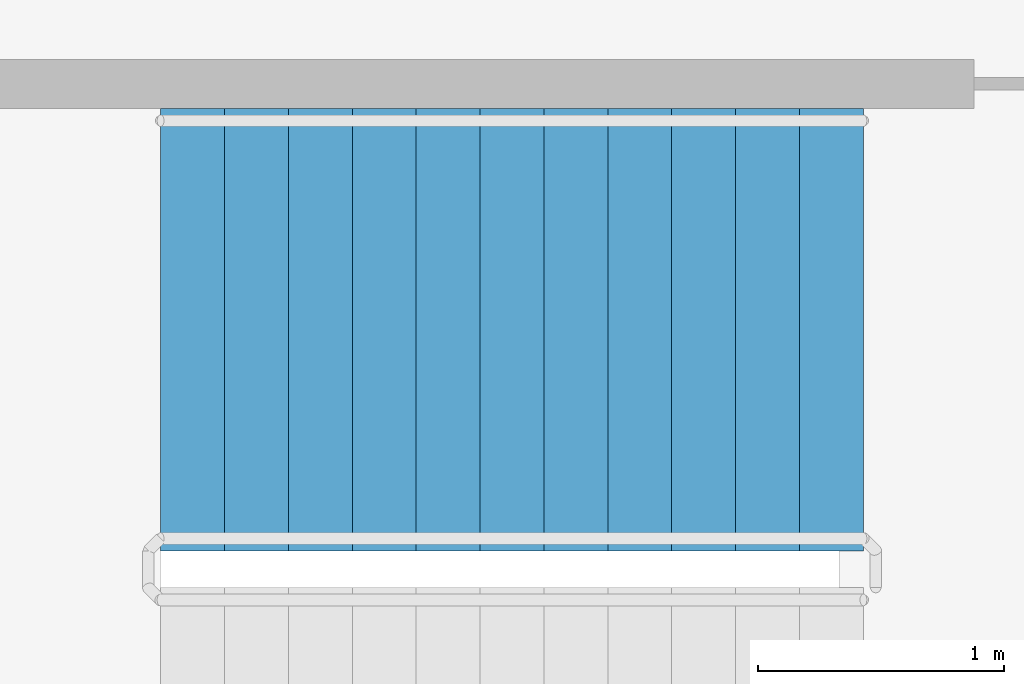
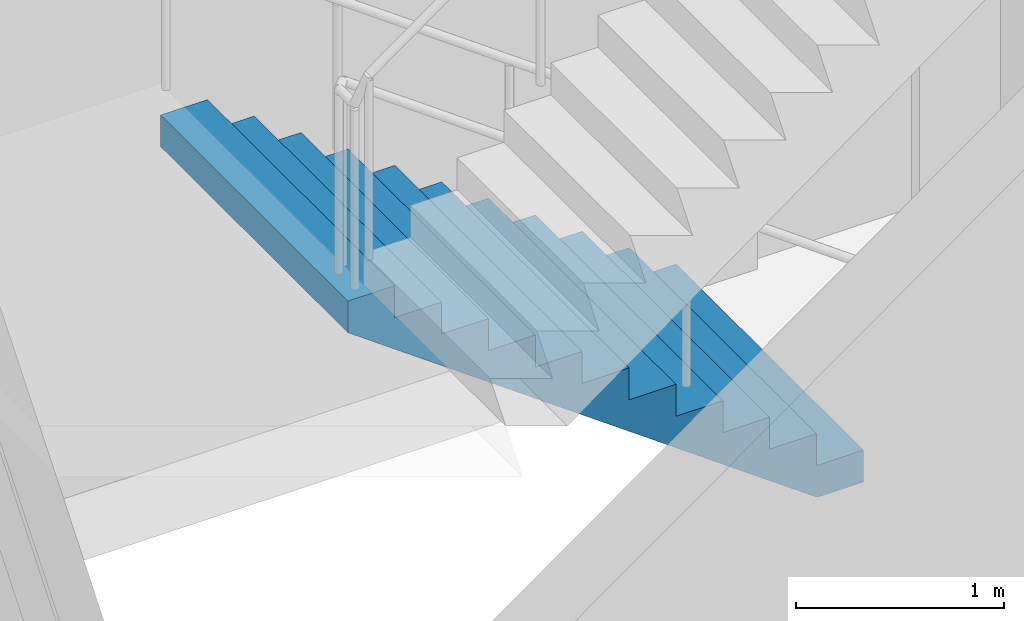
# One storey, part 45 of 51: 1 stair flight, 1 element without a shape of its own.
"""IFC4 building model written with IfcOpenShell, lengths in metres."""

from ifc_helpers import new_model, si_unit, direction, frame, origin, place, context, subcontext, project, spatial, faceted_brep, material, type_object, element, aggregate, save


model = new_model("IFC4")

# Units and contexts
model_context = context("Model", 3, precision=1e-05, world=origin(), true_north=direction((0.0, 1.0)))
body_context = subcontext(model_context, "Body", "Model", "MODEL_VIEW")
ifc_project = project(units=[si_unit("LENGTHUNIT", "METRE"), si_unit("AREAUNIT", "SQUARE_METRE"), si_unit("VOLUMEUNIT", "CUBIC_METRE"), si_unit("PLANEANGLEUNIT", "RADIAN"), si_unit("MASSUNIT", "GRAM", prefix="KILO")], contexts=[model_context])

# Site, building, storey
site_placement = place(None, origin())
site = spatial("IfcSite", under=ifc_project, at=site_placement, CompositionType="ELEMENT")
building_placement = place(site_placement, origin())
building = spatial("IfcBuilding", under=site, at=building_placement, Name="Ipe Terrace Towers", CompositionType="ELEMENT")
storey_placement = place(building_placement, frame((0.0, 0.0, 15.5)))
storey = spatial("IfcBuildingStorey", under=building, at=storey_placement, Name="L03", CompositionType="ELEMENT", Elevation=15.5)

# Stair, stair flight
ifc_material_1 = material(Name="Concrete C30/37", Category="concrete")
stair_type = type_object("IfcStairType", Name="Protected exit stair", PredefinedType="HALF_TURN_STAIR", material=ifc_material_1)
stair_placement = place(storey_placement, origin())
stair = element("IfcStair", 1, at=stair_placement, inside=storey, type_object=stair_type, Name="L03 Podium exit stair PS3", PredefinedType="HALF_TURN_STAIR")
ifc_material_2 = material(Name="Concrete C30/37", Category="concrete")
stair_flight_type = type_object("IfcStairFlightType", Name="Exit stair flight 1800", PredefinedType="STRAIGHT", material=ifc_material_2)
stair_flight_placement = place(storey_placement, frame((52.77001953125, 25.5, 0.0), z_axis=(0.0, 0.0, 1.0), x_axis=(-1.0, 0.0, 0.0)))
stair_flight = element("IfcStairFlight", 2, at=stair_flight_placement, type_object=stair_flight_type, Name="PS3 flight 1", NumberOfRisers=12, NumberOfTreads=11, PredefinedType="STRAIGHT", RiserHeight=0.1875, TreadLength=0.26, context=body_context, shape_type="Brep", body=[
    faceted_brep([(0.25634765625, -0.89990234375, 0.0), (2.860107421875, -0.89990234375, 1.877685546875), (2.860107421875, -0.89990234375, 2.0625), (2.60009765625, -0.89990234375, 2.0625), (2.60009765625, -0.89990234375, 1.875), (2.340087890625, -0.89990234375, 1.875), (2.340087890625, -0.89990234375, 1.6875), (2.080078125, -0.89990234375, 1.6875), (2.080078125, -0.89990234375, 1.5), (1.820068359375, -0.89990234375, 1.5), (1.820068359375, -0.89990234375, 1.3125), (1.56005859375, -0.89990234375, 1.3125), (1.56005859375, -0.89990234375, 1.125), (1.300048828125, -0.89990234375, 1.125), (1.300048828125, -0.89990234375, 0.9375), (1.0400390625, -0.89990234375, 0.9375), (1.0400390625, -0.89990234375, 0.75), (0.780029296875, -0.89990234375, 0.75), (0.780029296875, -0.89990234375, 0.5625), (0.52001953125, -0.89990234375, 0.5625), (0.52001953125, -0.89990234375, 0.375), (0.260009765625, -0.89990234375, 0.375), (0.260009765625, -0.89990234375, 0.1875), (0.0, -0.89990234375, 0.1875), (0.0, -0.89990234375, 0.0), (0.0, 0.89990234375, 0.0), (0.0, 0.89990234375, 0.1875), (0.260009765625, 0.89990234375, 0.1875), (0.260009765625, 0.89990234375, 0.375), (0.52001953125, 0.89990234375, 0.375), (0.52001953125, 0.89990234375, 0.5625), (0.780029296875, 0.89990234375, 0.5625), (0.780029296875, 0.89990234375, 0.75), (1.0400390625, 0.89990234375, 0.75), (1.0400390625, 0.89990234375, 0.9375), (1.300048828125, 0.89990234375, 0.9375), (1.300048828125, 0.89990234375, 1.125), (1.56005859375, 0.89990234375, 1.125), (1.56005859375, 0.89990234375, 1.3125), (1.820068359375, 0.89990234375, 1.3125), (1.820068359375, 0.89990234375, 1.5), (2.080078125, 0.89990234375, 1.5), (2.080078125, 0.89990234375, 1.6875), (2.340087890625, 0.89990234375, 1.6875), (2.340087890625, 0.89990234375, 1.875), (2.60009765625, 0.89990234375, 1.875), (2.60009765625, 0.89990234375, 2.0625), (2.860107421875, 0.89990234375, 2.0625), (2.860107421875, 0.89990234375, 1.877685546875), (0.25634765625, 0.89990234375, 0.0), (0.0, -0.300048828125, 0.1875), (0.0, -0.1201171875, 0.1875), (0.0, -0.06005859375, 0.1875), (0.0, -0.030029296875, 0.1875), (0.0, -0.010009765625, 0.1875), (0.0, 0.0, 0.1875), (0.0, 0.010009765625, 0.1875), (0.0, 0.030029296875, 0.1875), (0.0, 0.06005859375, 0.1875), (0.0, 0.1201171875, 0.1875), (0.0, 0.300048828125, 0.1875), (0.0, 0.300048828125, 0.0), (0.0, 0.1201171875, 0.0), (0.0, 0.06005859375, 0.0), (0.0, 0.030029296875, 0.0), (0.0, 0.010009765625, 0.0), (0.0, 0.0, 0.0), (0.0, -0.010009765625, 0.0), (0.0, -0.030029296875, 0.0), (0.0, -0.06005859375, 0.0), (0.0, -0.1201171875, 0.0), (0.0, -0.300048828125, 0.0), (0.260009765625, -0.300048828125, 0.1875), (0.260009765625, -0.1201171875, 0.1875), (0.260009765625, -0.06005859375, 0.1875), (0.260009765625, -0.030029296875, 0.1875), (0.260009765625, -0.010009765625, 0.1875), (0.260009765625, 0.0, 0.1875), (0.260009765625, 0.010009765625, 0.1875), (0.260009765625, 0.030029296875, 0.1875), (0.260009765625, 0.06005859375, 0.1875), (0.260009765625, 0.1201171875, 0.1875), (0.260009765625, 0.300048828125, 0.1875), (0.260009765625, -0.300048828125, 0.375), (0.260009765625, -0.1201171875, 0.375), (0.260009765625, -0.06005859375, 0.375), (0.260009765625, -0.030029296875, 0.375), (0.260009765625, -0.010009765625, 0.375), (0.260009765625, 0.0, 0.375), (0.260009765625, 0.010009765625, 0.375), (0.260009765625, 0.030029296875, 0.375), (0.260009765625, 0.06005859375, 0.375), (0.260009765625, 0.1201171875, 0.375), (0.260009765625, 0.300048828125, 0.375), (0.52001953125, -0.300048828125, 0.375), (0.52001953125, -0.1201171875, 0.375), (0.52001953125, -0.06005859375, 0.375), (0.52001953125, -0.030029296875, 0.375), (0.52001953125, -0.010009765625, 0.375), (0.52001953125, 0.0, 0.375), (0.52001953125, 0.010009765625, 0.375), (0.52001953125, 0.030029296875, 0.375), (0.52001953125, 0.06005859375, 0.375), (0.52001953125, 0.1201171875, 0.375), (0.52001953125, 0.300048828125, 0.375), (0.52001953125, -0.300048828125, 0.5625), (0.52001953125, -0.1201171875, 0.5625), (0.52001953125, -0.06005859375, 0.5625), (0.52001953125, -0.030029296875, 0.5625), (0.52001953125, -0.010009765625, 0.5625), (0.52001953125, 0.0, 0.5625), (0.52001953125, 0.010009765625, 0.5625), (0.52001953125, 0.030029296875, 0.5625), (0.52001953125, 0.06005859375, 0.5625), (0.52001953125, 0.1201171875, 0.5625), (0.52001953125, 0.300048828125, 0.5625), (0.780029296875, -0.300048828125, 0.5625), (0.780029296875, -0.1201171875, 0.5625), (0.780029296875, -0.06005859375, 0.5625), (0.780029296875, -0.030029296875, 0.5625), (0.780029296875, -0.010009765625, 0.5625), (0.780029296875, 0.0, 0.5625), (0.780029296875, 0.010009765625, 0.5625), (0.780029296875, 0.030029296875, 0.5625), (0.780029296875, 0.06005859375, 0.5625), (0.780029296875, 0.1201171875, 0.5625), (0.780029296875, 0.300048828125, 0.5625), (0.780029296875, -0.300048828125, 0.75), (0.780029296875, -0.1201171875, 0.75), (0.780029296875, -0.06005859375, 0.75), (0.780029296875, -0.030029296875, 0.75), (0.780029296875, -0.010009765625, 0.75), (0.780029296875, 0.0, 0.75), (0.780029296875, 0.010009765625, 0.75), (0.780029296875, 0.030029296875, 0.75), (0.780029296875, 0.06005859375, 0.75), (0.780029296875, 0.1201171875, 0.75), (0.780029296875, 0.300048828125, 0.75), (1.0400390625, -0.300048828125, 0.75), (1.0400390625, -0.1201171875, 0.75), (1.0400390625, -0.06005859375, 0.75), (1.0400390625, -0.030029296875, 0.75), (1.0400390625, -0.010009765625, 0.75), (1.0400390625, 0.0, 0.75), (1.0400390625, 0.010009765625, 0.75), (1.0400390625, 0.030029296875, 0.75), (1.0400390625, 0.06005859375, 0.75), (1.0400390625, 0.1201171875, 0.75), (1.0400390625, 0.300048828125, 0.75), (1.0400390625, -0.300048828125, 0.9375), (1.0400390625, -0.1201171875, 0.9375), (1.0400390625, -0.06005859375, 0.9375), (1.0400390625, -0.030029296875, 0.9375), (1.0400390625, -0.010009765625, 0.9375), (1.0400390625, 0.0, 0.9375), (1.0400390625, 0.010009765625, 0.9375), (1.0400390625, 0.030029296875, 0.9375), (1.0400390625, 0.06005859375, 0.9375), (1.0400390625, 0.1201171875, 0.9375), (1.0400390625, 0.300048828125, 0.9375), (1.300048828125, -0.300048828125, 0.9375), (1.300048828125, -0.1201171875, 0.9375), (1.300048828125, -0.06005859375, 0.9375), (1.300048828125, -0.030029296875, 0.9375), (1.300048828125, -0.010009765625, 0.9375), (1.300048828125, 0.0, 0.9375), (1.300048828125, 0.010009765625, 0.9375), (1.300048828125, 0.030029296875, 0.9375), (1.300048828125, 0.06005859375, 0.9375), (1.300048828125, 0.1201171875, 0.9375), (1.300048828125, 0.300048828125, 0.9375), (1.300048828125, -0.300048828125, 1.125), (1.300048828125, -0.1201171875, 1.125), (1.300048828125, -0.06005859375, 1.125), (1.300048828125, -0.030029296875, 1.125), (1.300048828125, -0.010009765625, 1.125), (1.300048828125, 0.0, 1.125), (1.300048828125, 0.010009765625, 1.125), (1.300048828125, 0.030029296875, 1.125), (1.300048828125, 0.06005859375, 1.125), (1.300048828125, 0.1201171875, 1.125), (1.300048828125, 0.300048828125, 1.125), (1.56005859375, -0.300048828125, 1.125), (1.56005859375, -0.1201171875, 1.125), (1.56005859375, -0.06005859375, 1.125), (1.56005859375, -0.030029296875, 1.125), (1.56005859375, -0.010009765625, 1.125), (1.56005859375, 0.0, 1.125), (1.56005859375, 0.010009765625, 1.125), (1.56005859375, 0.030029296875, 1.125), (1.56005859375, 0.06005859375, 1.125), (1.56005859375, 0.1201171875, 1.125), (1.56005859375, 0.300048828125, 1.125), (1.56005859375, -0.300048828125, 1.3125), (1.56005859375, -0.1201171875, 1.3125), (1.56005859375, -0.06005859375, 1.3125), (1.56005859375, -0.030029296875, 1.3125), (1.56005859375, -0.010009765625, 1.3125), (1.56005859375, 0.0, 1.3125), (1.56005859375, 0.010009765625, 1.3125), (1.56005859375, 0.030029296875, 1.3125), (1.56005859375, 0.06005859375, 1.3125), (1.56005859375, 0.1201171875, 1.3125), (1.56005859375, 0.300048828125, 1.3125), (1.820068359375, -0.300048828125, 1.3125), (1.820068359375, -0.1201171875, 1.3125), (1.820068359375, -0.06005859375, 1.3125), (1.820068359375, -0.030029296875, 1.3125), (1.820068359375, -0.010009765625, 1.3125), (1.820068359375, 0.0, 1.3125), (1.820068359375, 0.010009765625, 1.3125), (1.820068359375, 0.030029296875, 1.3125), (1.820068359375, 0.06005859375, 1.3125), (1.820068359375, 0.1201171875, 1.3125), (1.820068359375, 0.300048828125, 1.3125), (1.820068359375, -0.300048828125, 1.5), (1.820068359375, -0.1201171875, 1.5), (1.820068359375, -0.06005859375, 1.5), (1.820068359375, -0.030029296875, 1.5), (1.820068359375, -0.010009765625, 1.5), (1.820068359375, 0.0, 1.5), (1.820068359375, 0.010009765625, 1.5), (1.820068359375, 0.030029296875, 1.5), (1.820068359375, 0.06005859375, 1.5), (1.820068359375, 0.1201171875, 1.5), (1.820068359375, 0.300048828125, 1.5), (2.080078125, -0.300048828125, 1.5), (2.080078125, -0.1201171875, 1.5), (2.080078125, -0.06005859375, 1.5), (2.080078125, -0.030029296875, 1.5), (2.080078125, -0.010009765625, 1.5), (2.080078125, 0.0, 1.5), (2.080078125, 0.010009765625, 1.5), (2.080078125, 0.030029296875, 1.5), (2.080078125, 0.06005859375, 1.5), (2.080078125, 0.1201171875, 1.5), (2.080078125, 0.300048828125, 1.5), (2.080078125, -0.300048828125, 1.6875), (2.080078125, -0.1201171875, 1.6875), (2.080078125, -0.06005859375, 1.6875), (2.080078125, -0.030029296875, 1.6875), (2.080078125, -0.010009765625, 1.6875), (2.080078125, 0.0, 1.6875), (2.080078125, 0.010009765625, 1.6875), (2.080078125, 0.030029296875, 1.6875), (2.080078125, 0.06005859375, 1.6875), (2.080078125, 0.1201171875, 1.6875), (2.080078125, 0.300048828125, 1.6875), (2.340087890625, -0.300048828125, 1.6875), (2.340087890625, -0.1201171875, 1.6875), (2.340087890625, -0.06005859375, 1.6875), (2.340087890625, -0.030029296875, 1.6875), (2.340087890625, -0.010009765625, 1.6875), (2.340087890625, 0.0, 1.6875), (2.340087890625, 0.010009765625, 1.6875), (2.340087890625, 0.030029296875, 1.6875), (2.340087890625, 0.06005859375, 1.6875), (2.340087890625, 0.1201171875, 1.6875), (2.340087890625, 0.300048828125, 1.6875), (2.340087890625, -0.300048828125, 1.875), (2.340087890625, -0.1201171875, 1.875), (2.340087890625, -0.06005859375, 1.875), (2.340087890625, -0.030029296875, 1.875), (2.340087890625, -0.010009765625, 1.875), (2.340087890625, 0.0, 1.875), (2.340087890625, 0.010009765625, 1.875), (2.340087890625, 0.030029296875, 1.875), (2.340087890625, 0.06005859375, 1.875), (2.340087890625, 0.1201171875, 1.875), (2.340087890625, 0.300048828125, 1.875), (2.60009765625, -0.300048828125, 1.875), (2.60009765625, -0.1201171875, 1.875), (2.60009765625, -0.06005859375, 1.875), (2.60009765625, -0.030029296875, 1.875), (2.60009765625, -0.010009765625, 1.875), (2.60009765625, 0.0, 1.875), (2.60009765625, 0.010009765625, 1.875), (2.60009765625, 0.030029296875, 1.875), (2.60009765625, 0.06005859375, 1.875), (2.60009765625, 0.1201171875, 1.875), (2.60009765625, 0.300048828125, 1.875), (2.60009765625, -0.300048828125, 2.0625), (2.60009765625, -0.1201171875, 2.0625), (2.60009765625, -0.06005859375, 2.0625), (2.60009765625, -0.030029296875, 2.0625), (2.60009765625, -0.010009765625, 2.0625), (2.60009765625, 0.0, 2.0625), (2.60009765625, 0.010009765625, 2.0625), (2.60009765625, 0.030029296875, 2.0625), (2.60009765625, 0.06005859375, 2.0625), (2.60009765625, 0.1201171875, 2.0625), (2.60009765625, 0.300048828125, 2.0625), (2.860107421875, -0.300048828125, 2.0625), (2.860107421875, -0.1201171875, 2.0625), (2.860107421875, -0.06005859375, 2.0625), (2.860107421875, -0.030029296875, 2.0625), (2.860107421875, -0.010009765625, 2.0625), (2.860107421875, 0.0, 2.0625), (2.860107421875, 0.010009765625, 2.0625), (2.860107421875, 0.030029296875, 2.0625), (2.860107421875, 0.06005859375, 2.0625), (2.860107421875, 0.1201171875, 2.0625), (2.860107421875, 0.300048828125, 2.0625), (2.860107421875, -0.300048828125, 1.877685546875), (2.860107421875, -0.1201171875, 1.877685546875), (2.860107421875, -0.06005859375, 1.877685546875), (2.860107421875, -0.030029296875, 1.877685546875), (2.860107421875, -0.010009765625, 1.877685546875), (2.860107421875, 0.0, 1.877685546875), (2.860107421875, 0.010009765625, 1.877685546875), (2.860107421875, 0.030029296875, 1.877685546875), (2.860107421875, 0.06005859375, 1.877685546875), (2.860107421875, 0.1201171875, 1.877685546875), (2.860107421875, 0.300048828125, 1.877685546875), (0.25634765625, -0.300048828125, 0.0), (0.25634765625, -0.1201171875, 0.0), (0.25634765625, -0.06005859375, 0.0), (0.25634765625, -0.030029296875, 0.0), (0.25634765625, -0.010009765625, 0.0), (0.25634765625, 0.0, 0.0), (0.25634765625, 0.010009765625, 0.0), (0.25634765625, 0.030029296875, 0.0), (0.25634765625, 0.06005859375, 0.0), (0.25634765625, 0.1201171875, 0.0), (0.25634765625, 0.300048828125, 0.0)], [[[0, 1, 2, 3, 4, 5, 6, 7, 8, 9, 10, 11, 12, 13, 14, 15, 16, 17, 18, 19, 20, 21, 22, 23, 24]], [[25, 26, 27, 28, 29, 30, 31, 32, 33, 34, 35, 36, 37, 38, 39, 40, 41, 42, 43, 44, 45, 46, 47, 48, 49]], [[23, 50, 51, 52, 53, 54, 55, 56, 57, 58, 59, 60, 26, 25, 61, 62, 63, 64, 65, 66, 67, 68, 69, 70, 71, 24]], [[22, 72, 73, 74, 75, 76, 77, 78, 79, 80, 81, 82, 27, 26, 60, 59, 58, 57, 56, 55, 54, 53, 52, 51, 50, 23]], [[21, 83, 84, 85, 86, 87, 88, 89, 90, 91, 92, 93, 28, 27, 82, 81, 80, 79, 78, 77, 76, 75, 74, 73, 72, 22]], [[20, 94, 95, 96, 97, 98, 99, 100, 101, 102, 103, 104, 29, 28, 93, 92, 91, 90, 89, 88, 87, 86, 85, 84, 83, 21]], [[19, 105, 106, 107, 108, 109, 110, 111, 112, 113, 114, 115, 30, 29, 104, 103, 102, 101, 100, 99, 98, 97, 96, 95, 94, 20]], [[18, 116, 117, 118, 119, 120, 121, 122, 123, 124, 125, 126, 31, 30, 115, 114, 113, 112, 111, 110, 109, 108, 107, 106, 105, 19]], [[17, 127, 128, 129, 130, 131, 132, 133, 134, 135, 136, 137, 32, 31, 126, 125, 124, 123, 122, 121, 120, 119, 118, 117, 116, 18]], [[16, 138, 139, 140, 141, 142, 143, 144, 145, 146, 147, 148, 33, 32, 137, 136, 135, 134, 133, 132, 131, 130, 129, 128, 127, 17]], [[15, 149, 150, 151, 152, 153, 154, 155, 156, 157, 158, 159, 34, 33, 148, 147, 146, 145, 144, 143, 142, 141, 140, 139, 138, 16]], [[14, 160, 161, 162, 163, 164, 165, 166, 167, 168, 169, 170, 35, 34, 159, 158, 157, 156, 155, 154, 153, 152, 151, 150, 149, 15]], [[13, 171, 172, 173, 174, 175, 176, 177, 178, 179, 180, 181, 36, 35, 170, 169, 168, 167, 166, 165, 164, 163, 162, 161, 160, 14]], [[12, 182, 183, 184, 185, 186, 187, 188, 189, 190, 191, 192, 37, 36, 181, 180, 179, 178, 177, 176, 175, 174, 173, 172, 171, 13]], [[11, 193, 194, 195, 196, 197, 198, 199, 200, 201, 202, 203, 38, 37, 192, 191, 190, 189, 188, 187, 186, 185, 184, 183, 182, 12]], [[10, 204, 205, 206, 207, 208, 209, 210, 211, 212, 213, 214, 39, 38, 203, 202, 201, 200, 199, 198, 197, 196, 195, 194, 193, 11]], [[9, 215, 216, 217, 218, 219, 220, 221, 222, 223, 224, 225, 40, 39, 214, 213, 212, 211, 210, 209, 208, 207, 206, 205, 204, 10]], [[8, 226, 227, 228, 229, 230, 231, 232, 233, 234, 235, 236, 41, 40, 225, 224, 223, 222, 221, 220, 219, 218, 217, 216, 215, 9]], [[7, 237, 238, 239, 240, 241, 242, 243, 244, 245, 246, 247, 42, 41, 236, 235, 234, 233, 232, 231, 230, 229, 228, 227, 226, 8]], [[6, 248, 249, 250, 251, 252, 253, 254, 255, 256, 257, 258, 43, 42, 247, 246, 245, 244, 243, 242, 241, 240, 239, 238, 237, 7]], [[5, 259, 260, 261, 262, 263, 264, 265, 266, 267, 268, 269, 44, 43, 258, 257, 256, 255, 254, 253, 252, 251, 250, 249, 248, 6]], [[4, 270, 271, 272, 273, 274, 275, 276, 277, 278, 279, 280, 45, 44, 269, 268, 267, 266, 265, 264, 263, 262, 261, 260, 259, 5]], [[3, 281, 282, 283, 284, 285, 286, 287, 288, 289, 290, 291, 46, 45, 280, 279, 278, 277, 276, 275, 274, 273, 272, 271, 270, 4]], [[2, 292, 293, 294, 295, 296, 297, 298, 299, 300, 301, 302, 47, 46, 291, 290, 289, 288, 287, 286, 285, 284, 283, 282, 281, 3]], [[1, 303, 304, 305, 306, 307, 308, 309, 310, 311, 312, 313, 48, 47, 302, 301, 300, 299, 298, 297, 296, 295, 294, 293, 292, 2]], [[0, 314, 315, 316, 317, 318, 319, 320, 321, 322, 323, 324, 49, 48, 313, 312, 311, 310, 309, 308, 307, 306, 305, 304, 303, 1]], [[24, 71, 70, 69, 68, 67, 66, 65, 64, 63, 62, 61, 25, 49, 324, 323, 322, 321, 320, 319, 318, 317, 316, 315, 314, 0]]]),
])
aggregate(stair, [stair_flight])

save(model, "model.ifc")
